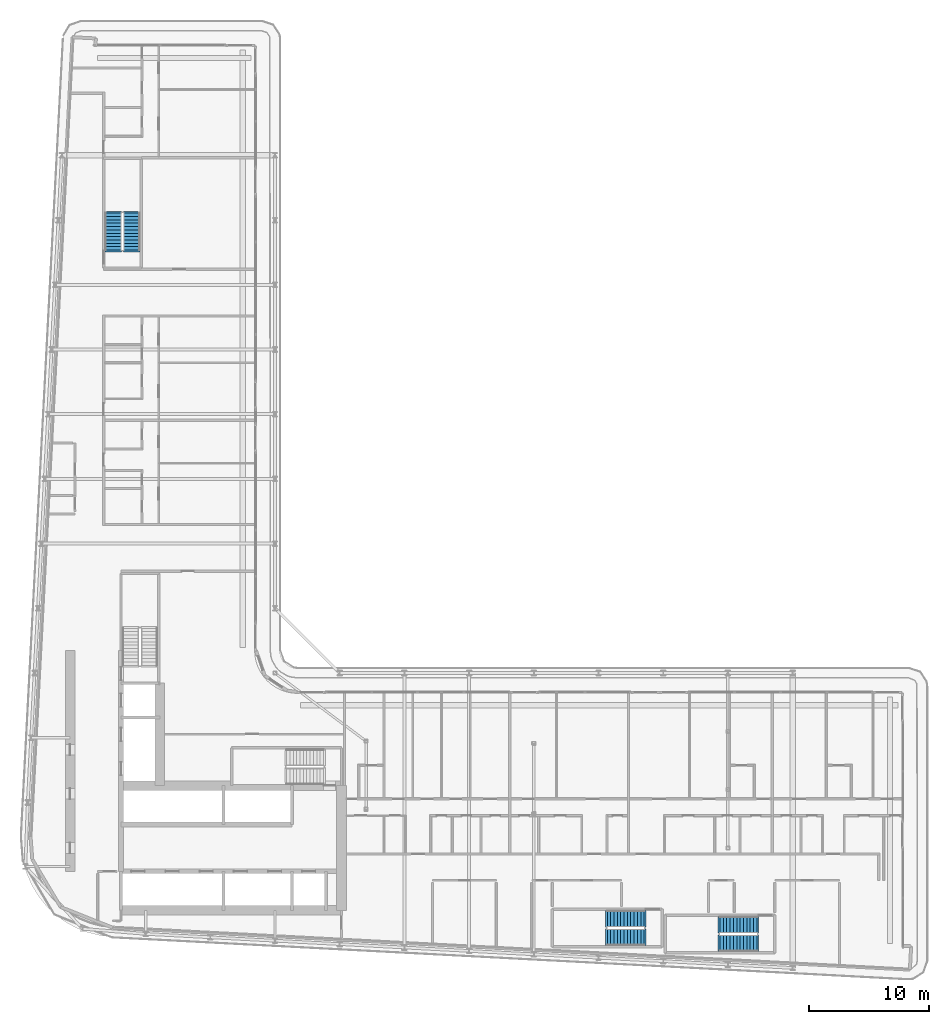
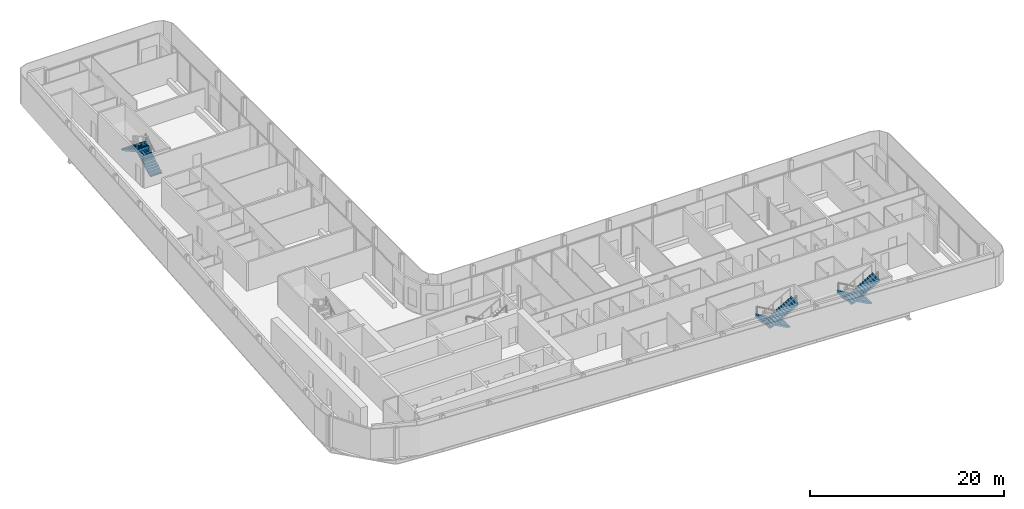
# One storey, part 23 of 30: 6 stair flights, 3 elements without a shape of their own.
"""IFC4 building model written with IfcOpenShell, lengths in metres."""

from ifc_helpers import new_model, si_unit, direction, frame, origin, place, context, subcontext, project, spatial, polyline, outline, extrude, material, layer, layer_set, type_object, element, aggregate, save


model = new_model("IFC4")

# Units and contexts
model_context = context("Model", 3, precision=1e-05, world=origin(), true_north=direction((0.0, 1.0)))
body_context = subcontext(model_context, "Body", "Model", "MODEL_VIEW")
ifc_project = project(units=[si_unit("LENGTHUNIT", "METRE"), si_unit("AREAUNIT", "SQUARE_METRE"), si_unit("VOLUMEUNIT", "CUBIC_METRE"), si_unit("PLANEANGLEUNIT", "RADIAN"), si_unit("MASSUNIT", "GRAM", prefix="KILO")], contexts=[model_context])

# Site, building, storey
site_placement = place(None, origin())
site = spatial("IfcSite", under=ifc_project, at=site_placement, CompositionType="ELEMENT")
building_placement = place(site_placement, origin())
building = spatial("IfcBuilding", under=site, at=building_placement, Name="Kheshtan School and Residences Tower", CompositionType="ELEMENT")
storey_placement = place(building_placement, frame((0.0, 0.0, 199.39990234375)))
storey = spatial("IfcBuildingStorey", under=building, at=storey_placement, Name="L47", CompositionType="ELEMENT", Elevation=199.39990234375)

# Stair, stair flights
ifc_material = material(Name="Concrete C40/50", Category="concrete")
stair_type = type_object("IfcStairType", Name="Exit stair, half-turn", PredefinedType="HALF_TURN_STAIR", material=ifc_material)
stair_1_placement = place(storey_placement, origin())
stair_1 = element("IfcStair", 1, at=stair_1_placement, inside=storey, type_object=stair_type, Name="L47 Protected Exit Stair ST3", PredefinedType="HALF_TURN_STAIR")
ifc_layer = layer(ifc_material, 0.14990234375)
ifc_layer_set = layer_set([ifc_layer], Name="Stair flight 1400 Concrete C40/50")
stair_flight_type = type_object("IfcStairFlightType", Name="Stair flight 1400 Concrete C40/50", PredefinedType="STRAIGHT", material=ifc_layer_set)
stair_flight_1_placement = place(storey_placement, frame((35.64990234375, 80.89990234375, 0.0), z_axis=(0.0, 0.0, 1.0), x_axis=(0.0, 1.0, 0.0)))
stair_flight_1 = element("IfcStairFlight", 2, at=stair_flight_1_placement, type_object=stair_flight_type, Name="ST3 flight 1", NumberOfRisers=12, NumberOfTreads=11, PredefinedType="STRAIGHT", RiserHeight=0.1625, TreadLength=0.28, context=body_context, shape_type="SweptSolid", body=[
    extrude(outline(polyline([(-0.14990234375, -0.10009765625), (-0.14990234375, 0.0), (0.0, 0.0), (0.0, 0.16259765625), (0.280029296875, 0.16259765625), (0.280029296875, 0.324951171875), (0.56005859375, 0.324951171875), (0.56005859375, 0.487548828125), (0.840087890625, 0.487548828125), (0.840087890625, 0.64990234375), (1.1201171875, 0.64990234375), (1.1201171875, 0.8125), (1.39990234375, 0.8125), (1.39990234375, 0.97509765625), (1.679931640625, 0.97509765625), (1.679931640625, 1.137451171875), (1.9599609375, 1.137451171875), (1.9599609375, 1.300048828125), (2.239990234375, 1.300048828125), (2.239990234375, 1.46240234375), (2.52001953125, 1.46240234375), (2.52001953125, 1.625), (2.800048828125, 1.625), (2.800048828125, 1.78759765625), (3.080078125, 1.78759765625), (3.080078125, 1.949951171875), (3.080078125, 1.969970703125), (3.22998046875, 1.969970703125), (3.22998046875, 1.6142578125), (0.298583984375, 0.0), (-0.14990234375, -0.10009765625)])), frame((0.0, 0.699951171875, 0.0), z_axis=(0.0, -1.0, 0.0), x_axis=(1.0, 0.0, 0.0)), (0.0, 0.0, 1.0), 1.39990234375),
])
stair_flight_2_placement = place(storey_placement, frame((34.10009765625, 83.97998046875, 1.9501953125), z_axis=(0.0, 0.0, 1.0), x_axis=(0.0, -1.0, 0.0)))
stair_flight_2 = element("IfcStairFlight", 3, at=stair_flight_2_placement, type_object=stair_flight_type, Name="ST3 flight 2", NumberOfRisers=12, NumberOfTreads=11, PredefinedType="STRAIGHT", RiserHeight=0.1625, TreadLength=0.28, context=body_context, shape_type="SweptSolid", body=[
    extrude(outline(polyline([(-0.14990234375, -0.10009765625), (-0.14990234375, 0.0), (0.0, 0.0), (0.0, 0.16259765625), (0.280029296875, 0.16259765625), (0.280029296875, 0.324951171875), (0.56005859375, 0.324951171875), (0.56005859375, 0.487548828125), (0.840087890625, 0.487548828125), (0.840087890625, 0.64990234375), (1.1201171875, 0.64990234375), (1.1201171875, 0.8125), (1.39990234375, 0.8125), (1.39990234375, 0.97509765625), (1.679931640625, 0.97509765625), (1.679931640625, 1.137451171875), (1.9599609375, 1.137451171875), (1.9599609375, 1.300048828125), (2.239990234375, 1.300048828125), (2.239990234375, 1.46240234375), (2.52001953125, 1.46240234375), (2.52001953125, 1.625), (2.800048828125, 1.625), (2.800048828125, 1.78759765625), (3.080078125, 1.78759765625), (3.080078125, 1.949951171875), (3.080078125, 1.969970703125), (3.22998046875, 1.969970703125), (3.22998046875, 1.6142578125), (0.298583984375, 0.0), (-0.14990234375, -0.10009765625)])), frame((0.0, 0.699951171875, 0.0), z_axis=(0.0, -1.0, 0.0), x_axis=(1.0, 0.0, 0.0)), (0.0, 0.0, 1.0), 1.39990234375),
])
aggregate(stair_1, [stair_flight_1, stair_flight_2])

stair_2_placement = place(storey_placement, origin())
stair_2 = element("IfcStair", 4, at=stair_2_placement, inside=storey, type_object=stair_type, Name="L47 Protected Exit Stair ST4", PredefinedType="HALF_TURN_STAIR")
stair_flight_3_placement = place(storey_placement, frame((87.820068359375, 24.60009765625, 0.0), z_axis=(0.0, 0.0, 1.0), x_axis=(-1.0, 0.0, 0.0)))
stair_flight_3 = element("IfcStairFlight", 5, at=stair_flight_3_placement, type_object=stair_flight_type, Name="ST4 flight 1", NumberOfRisers=12, NumberOfTreads=11, PredefinedType="STRAIGHT", RiserHeight=0.1625, TreadLength=0.28, context=body_context, shape_type="SweptSolid", body=[
    extrude(outline(polyline([(-0.14990234375, -0.10009765625), (-0.14990234375, 0.0), (0.0, 0.0), (0.0, 0.16259765625), (0.280029296875, 0.16259765625), (0.280029296875, 0.324951171875), (0.56005859375, 0.324951171875), (0.56005859375, 0.487548828125), (0.840087890625, 0.487548828125), (0.840087890625, 0.64990234375), (1.1201171875, 0.64990234375), (1.1201171875, 0.8125), (1.39990234375, 0.8125), (1.39990234375, 0.97509765625), (1.679931640625, 0.97509765625), (1.679931640625, 1.137451171875), (1.9599609375, 1.137451171875), (1.9599609375, 1.300048828125), (2.239990234375, 1.300048828125), (2.239990234375, 1.46240234375), (2.52001953125, 1.46240234375), (2.52001953125, 1.625), (2.800048828125, 1.625), (2.800048828125, 1.78759765625), (3.080078125, 1.78759765625), (3.080078125, 1.949951171875), (3.080078125, 1.969970703125), (3.22998046875, 1.969970703125), (3.22998046875, 1.6142578125), (0.298583984375, 0.0), (-0.14990234375, -0.10009765625)])), frame((0.0, 0.699951171875, 0.0), z_axis=(0.0, -1.0, 0.0), x_axis=(1.0, 0.0, 0.0)), (0.0, 0.0, 1.0), 1.39990234375),
])
stair_flight_4_placement = place(storey_placement, frame((84.739990234375, 23.050048828125, 1.9501953125), z_axis=(0.0, 0.0, 1.0), x_axis=(1.0, 0.0, 0.0)))
stair_flight_4 = element("IfcStairFlight", 6, at=stair_flight_4_placement, type_object=stair_flight_type, Name="ST4 flight 2", NumberOfRisers=12, NumberOfTreads=11, PredefinedType="STRAIGHT", RiserHeight=0.1625, TreadLength=0.28, context=body_context, shape_type="SweptSolid", body=[
    extrude(outline(polyline([(-0.14990234375, -0.10009765625), (-0.14990234375, 0.0), (0.0, 0.0), (0.0, 0.16259765625), (0.280029296875, 0.16259765625), (0.280029296875, 0.324951171875), (0.56005859375, 0.324951171875), (0.56005859375, 0.487548828125), (0.840087890625, 0.487548828125), (0.840087890625, 0.64990234375), (1.1201171875, 0.64990234375), (1.1201171875, 0.8125), (1.39990234375, 0.8125), (1.39990234375, 0.97509765625), (1.679931640625, 0.97509765625), (1.679931640625, 1.137451171875), (1.9599609375, 1.137451171875), (1.9599609375, 1.300048828125), (2.239990234375, 1.300048828125), (2.239990234375, 1.46240234375), (2.52001953125, 1.46240234375), (2.52001953125, 1.625), (2.800048828125, 1.625), (2.800048828125, 1.78759765625), (3.080078125, 1.78759765625), (3.080078125, 1.949951171875), (3.080078125, 1.969970703125), (3.22998046875, 1.969970703125), (3.22998046875, 1.6142578125), (0.298583984375, 0.0), (-0.14990234375, -0.10009765625)])), frame((0.0, 0.699951171875, 0.0), z_axis=(0.0, -1.0, 0.0), x_axis=(1.0, 0.0, 0.0)), (0.0, 0.0, 1.0), 1.39990234375),
])
aggregate(stair_2, [stair_flight_3, stair_flight_4])

stair_3_placement = place(storey_placement, origin())
stair_3 = element("IfcStair", 7, at=stair_3_placement, inside=storey, type_object=stair_type, Name="L47 Protected Exit Stair ST5", PredefinedType="HALF_TURN_STAIR")
stair_flight_5_placement = place(storey_placement, frame((78.409912109375, 25.10009765625, 0.0), z_axis=(0.0, 0.0, 1.0), x_axis=(-1.0, 0.0, 0.0)))
stair_flight_5 = element("IfcStairFlight", 8, at=stair_flight_5_placement, type_object=stair_flight_type, Name="ST5 flight 1", NumberOfRisers=12, NumberOfTreads=11, PredefinedType="STRAIGHT", RiserHeight=0.1625, TreadLength=0.28, context=body_context, shape_type="SweptSolid", body=[
    extrude(outline(polyline([(-0.14990234375, -0.10009765625), (-0.14990234375, 0.0), (0.0, 0.0), (0.0, 0.16259765625), (0.280029296875, 0.16259765625), (0.280029296875, 0.324951171875), (0.56005859375, 0.324951171875), (0.56005859375, 0.487548828125), (0.840087890625, 0.487548828125), (0.840087890625, 0.64990234375), (1.1201171875, 0.64990234375), (1.1201171875, 0.8125), (1.39990234375, 0.8125), (1.39990234375, 0.97509765625), (1.679931640625, 0.97509765625), (1.679931640625, 1.137451171875), (1.9599609375, 1.137451171875), (1.9599609375, 1.300048828125), (2.239990234375, 1.300048828125), (2.239990234375, 1.46240234375), (2.52001953125, 1.46240234375), (2.52001953125, 1.625), (2.800048828125, 1.625), (2.800048828125, 1.78759765625), (3.080078125, 1.78759765625), (3.080078125, 1.949951171875), (3.080078125, 1.969970703125), (3.22998046875, 1.969970703125), (3.22998046875, 1.6142578125), (0.298583984375, 0.0), (-0.14990234375, -0.10009765625)])), frame((0.0, 0.699951171875, 0.0), z_axis=(0.0, -1.0, 0.0), x_axis=(1.0, 0.0, 0.0)), (0.0, 0.0, 1.0), 1.39990234375),
])
stair_flight_6_placement = place(storey_placement, frame((75.330078125, 23.550048828125, 1.9501953125), z_axis=(0.0, 0.0, 1.0), x_axis=(1.0, 0.0, 0.0)))
stair_flight_6 = element("IfcStairFlight", 9, at=stair_flight_6_placement, type_object=stair_flight_type, Name="ST5 flight 2", NumberOfRisers=12, NumberOfTreads=11, PredefinedType="STRAIGHT", RiserHeight=0.1625, TreadLength=0.28, context=body_context, shape_type="SweptSolid", body=[
    extrude(outline(polyline([(-0.14990234375, -0.10009765625), (-0.14990234375, 0.0), (0.0, 0.0), (0.0, 0.16259765625), (0.280029296875, 0.16259765625), (0.280029296875, 0.324951171875), (0.56005859375, 0.324951171875), (0.56005859375, 0.487548828125), (0.840087890625, 0.487548828125), (0.840087890625, 0.64990234375), (1.1201171875, 0.64990234375), (1.1201171875, 0.8125), (1.39990234375, 0.8125), (1.39990234375, 0.97509765625), (1.679931640625, 0.97509765625), (1.679931640625, 1.137451171875), (1.9599609375, 1.137451171875), (1.9599609375, 1.300048828125), (2.239990234375, 1.300048828125), (2.239990234375, 1.46240234375), (2.52001953125, 1.46240234375), (2.52001953125, 1.625), (2.800048828125, 1.625), (2.800048828125, 1.78759765625), (3.080078125, 1.78759765625), (3.080078125, 1.949951171875), (3.080078125, 1.969970703125), (3.22998046875, 1.969970703125), (3.22998046875, 1.6142578125), (0.298583984375, 0.0), (-0.14990234375, -0.10009765625)])), frame((0.0, 0.699951171875, 0.0), z_axis=(0.0, -1.0, 0.0), x_axis=(1.0, 0.0, 0.0)), (0.0, 0.0, 1.0), 1.39990234375),
])
aggregate(stair_3, [stair_flight_5, stair_flight_6])

save(model, "model.ifc")
